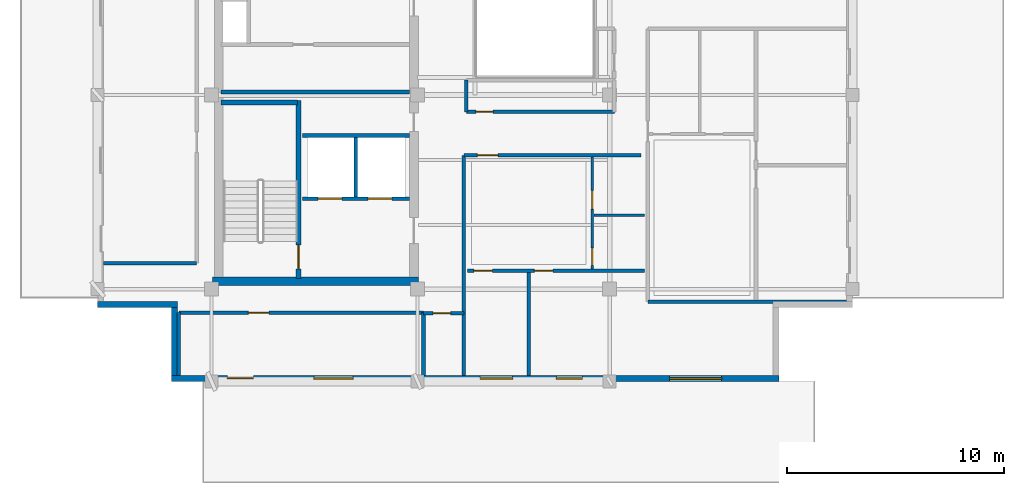
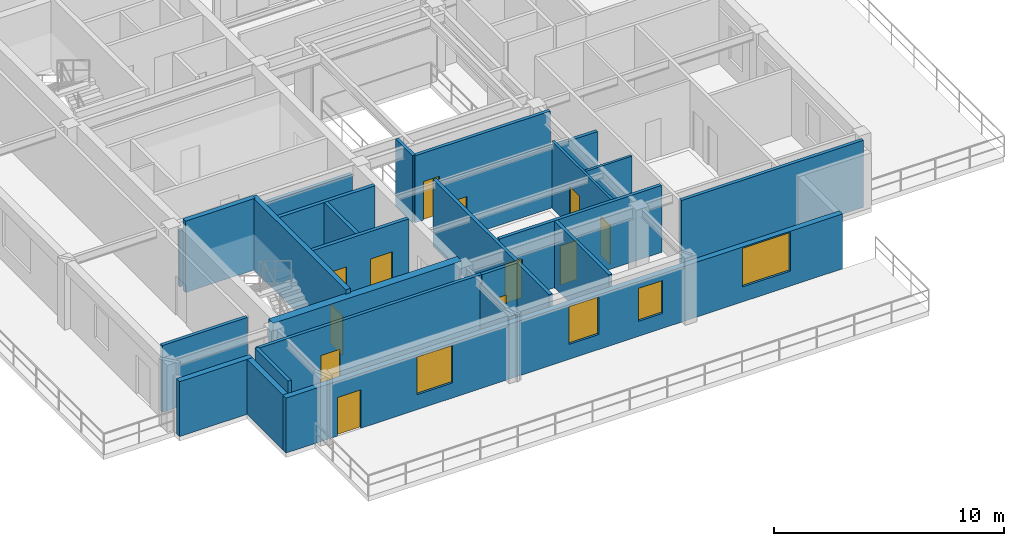
# One storey, part 2 of 9: 24 walls, 12 doors, 4 windows, 16 openings.
"""IFC4 building model written with IfcOpenShell, lengths in metres."""

import ifcopenshell
import ifcopenshell.guid

model = None  # the IFC model being written
_history = None  # IfcOwnerHistory: only IFC2X3 demands one
_inside = {}  # id of a spatial element -> (the spatial element, [elements in it])
_under = {}  # id of a project, library or spatial element -> (it, [spatial elements below it])
_declared = {}  # id of a project -> (the project, [libraries it declares])
_typed = {}  # id of a type object -> (the type object, [elements of that type])
_made_of = {}  # id of a material, layer set ... -> (it, [elements and type objects made of it])


def new_model(schema):
    """Start an empty IFC model of exactly this schema.

    Asked for "IFC4X3", IfcOpenShell would pick the latest addendum, in which some entities
    have other attributes; the version numbers below select the first issue.
    IFC2X3 requires an IfcOwnerHistory on every rooted entity: one is made here for all.
    """
    global model, _history
    if schema == "IFC4X3":
        model = ifcopenshell.file(schema_version=(4, 3, 0, 0))
    else:
        model = ifcopenshell.file(schema=schema)
    _inside.clear()
    _under.clear()
    _declared.clear()
    _typed.clear()
    _made_of.clear()
    _history = None
    if model.schema == "IFC2X3":
        org = make("IfcOrganization", Name="unknown")
        user = make(
            "IfcPersonAndOrganization",
            ThePerson=make("IfcPerson", FamilyName="unknown"),
            TheOrganization=org,
        )
        app = make(
            "IfcApplication",
            ApplicationDeveloper=org,
            Version="unknown",
            ApplicationFullName="unknown",
            ApplicationIdentifier="unknown",
        )
        _history = make(
            "IfcOwnerHistory",
            OwningUser=user,
            OwningApplication=app,
            ChangeAction="ADDED",
            CreationDate=0,
        )
    return model


def make(cls, **values):
    """One entity of the class cls with the attributes given. An attribute that is None is left unset."""
    return model.create_entity(
        cls, **{name: value for name, value in values.items() if value is not None}
    )


def rooted(cls, **values):
    """An entity with a GlobalId (a new one), such as an element, a storey or a relation."""
    return make(cls, GlobalId=ifcopenshell.guid.new(), OwnerHistory=_history, **values)


def si_unit(unit_type, name, prefix=None):
    """IfcSIUnit, for example si_unit("LENGTHUNIT", "METRE", prefix="MILLI")."""
    return make("IfcSIUnit", UnitType=unit_type, Prefix=prefix, Name=name)


def assignment(units):
    """IfcUnitAssignment: the units of a project."""
    return None if units is None else make("IfcUnitAssignment", Units=units)


def point(xyz):
    """IfcCartesianPoint."""
    return None if xyz is None else make("IfcCartesianPoint", Coordinates=xyz)


def direction(xyz):
    """IfcDirection."""
    return None if xyz is None else make("IfcDirection", DirectionRatios=xyz)


def frame(location, z_axis=None, x_axis=None):
    """IfcAxis2Placement3D, a coordinate frame: its origin and axes. An axis left out is left unset."""
    return make(
        "IfcAxis2Placement3D",
        Location=point(location),
        Axis=direction(z_axis),
        RefDirection=direction(x_axis),
    )


def frame_2d(location, x_axis=None):
    """IfcAxis2Placement2D, a coordinate frame in the plane: its origin and x axis."""
    return make(
        "IfcAxis2Placement2D", Location=point(location), RefDirection=direction(x_axis)
    )


def origin():
    """The frame at (0, 0, 0) with its axes left unset."""
    return frame((0.0, 0.0, 0.0))


def place(relative_to, where):
    """IfcLocalPlacement: puts the frame where relative to a parent placement (None: the world)."""
    return make(
        "IfcLocalPlacement", PlacementRelTo=relative_to, RelativePlacement=where
    )


def context(
    kind, dimensions, precision=None, world=None, true_north=None, identifier=None
):
    """IfcGeometricRepresentationContext, for example the 3D "Model" context."""
    return make(
        "IfcGeometricRepresentationContext",
        ContextIdentifier=identifier,
        ContextType=kind,
        CoordinateSpaceDimension=dimensions,
        Precision=precision,
        WorldCoordinateSystem=world,
        TrueNorth=true_north,
    )


def subcontext(parent, identifier, kind, view, scale=None):
    """IfcGeometricRepresentationSubContext, for example "Body" below "Model"."""
    return make(
        "IfcGeometricRepresentationSubContext",
        ContextIdentifier=identifier,
        ContextType=kind,
        ParentContext=parent,
        TargetScale=scale,
        TargetView=view,
    )


def project(units=None, contexts=None):
    """IfcProject with its units and contexts."""
    return rooted(
        "IfcProject",
        Name="project",
        RepresentationContexts=contexts,
        UnitsInContext=assignment(units),
    )


def spatial(cls, under=None, at=None, **own):
    """A site, building, storey or space (cls), placed at a placement, below another one or the project."""
    s = rooted(cls, ObjectPlacement=at, **own)
    if under is not None:
        _under.setdefault(under.id(), (under, []))[1].append(s)
    return s


def profile(cls, at=None, kind="AREA", **sizes):
    """A parametric profile (cls). Its sizes go by their IFC names, for example OverallWidth=200.0."""
    return make(cls, ProfileType=kind, Position=at, **sizes)


def rectangle(**sizes):
    """IfcRectangleProfileDef."""
    return profile("IfcRectangleProfileDef", **sizes)


def extrude(swept, where, along, depth):
    """IfcExtrudedAreaSolid: the profile swept, set in the frame where, extruded along a direction by depth."""
    return make(
        "IfcExtrudedAreaSolid",
        SweptArea=swept,
        Position=where,
        ExtrudedDirection=direction(along),
        Depth=depth,
    )


def shape(context_of_items, identifier, shape_type, items):
    """IfcShapeRepresentation: the items that make up one representation, for example the "Body"."""
    return make(
        "IfcShapeRepresentation",
        ContextOfItems=context_of_items,
        RepresentationIdentifier=identifier,
        RepresentationType=shape_type,
        Items=items,
    )


def material(Name=None, Category=None):
    """IfcMaterial."""
    return make("IfcMaterial", Name=Name, Category=Category)


def layer(
    of_material, thickness, ventilated=None, Name=None, Category=None, Priority=None
):
    """IfcMaterialLayer: one layer of a wall or slab, of a material (None: an air gap)."""
    return make(
        "IfcMaterialLayer",
        Material=of_material,
        LayerThickness=thickness,
        IsVentilated=ventilated,
        Name=Name,
        Category=Category,
        Priority=Priority,
    )


def layer_set(layers, Name=None):
    """IfcMaterialLayerSet."""
    return make("IfcMaterialLayerSet", MaterialLayers=layers, LayerSetName=Name)


def made_of(thing, what):
    """Note that an element or type object is made of a material, layer set ...; save() writes the relation."""
    if what is not None:
        _made_of.setdefault(what.id(), (what, []))[1].append(thing)
    return thing


def type_object(cls, material=None, **own):
    """A type object (cls), such as IfcWallType, which elements share."""
    return made_of(rooted(cls, **own), material)


def element(
    cls,
    number,
    at=None,
    inside=None,
    cuts=None,
    type_object=None,
    material=None,
    context=None,
    identifier="Body",
    shape_type=None,
    held_by="IfcProductDefinitionShape",
    body=None,
    shapes=None,
    **own,
):
    """One element of the class cls, such as IfcWall. Its Tag is "e" and its number.

    at: its placement. inside: the storey or other place that contains it. cuts: it is an
    opening in that element (IfcRelVoidsElement). A single representation is given by context,
    identifier, shape_type and body (its items); several are given by shapes. held_by: the class
    of the entity that holds the representations. save() writes the other relations.
    """
    e = rooted(cls, Tag="e%d" % number, ObjectPlacement=at, **own)
    if body is not None:
        shapes = [shape(context, identifier, shape_type, body)]
    if shapes is not None:
        e.Representation = make(held_by, Representations=shapes)
    if inside is not None:
        _inside.setdefault(inside.id(), (inside, []))[1].append(e)
    if cuts is not None:
        rooted(
            "IfcRelVoidsElement", RelatingBuildingElement=cuts, RelatedOpeningElement=e
        )
    if type_object is not None:
        _typed.setdefault(type_object.id(), (type_object, []))[1].append(e)
    return made_of(e, material)


def fill(opening, filler):
    """IfcRelFillsElement: the door or window that sits in an opening."""
    return rooted(
        "IfcRelFillsElement",
        RelatingOpeningElement=opening,
        RelatedBuildingElement=filler,
    )


def aggregate(whole, parts):
    """IfcRelAggregates: a whole, such as a stair, and the parts it consists of."""
    return rooted("IfcRelAggregates", RelatingObject=whole, RelatedObjects=parts)


def save(model, path):
    """Write the relations noted so far, then the file.

    IfcRelAggregates (storeys below a building ...), IfcRelContainedInSpatialStructure (elements
    in a storey), IfcRelDefinesByType, IfcRelAssociatesMaterial and IfcRelDeclares: one each for
    every whole, place, type object, material and project.
    """
    for whole, parts in _under.values():
        aggregate(whole, parts)
    for where, things in _inside.values():
        rooted(
            "IfcRelContainedInSpatialStructure",
            RelatedElements=things,
            RelatingStructure=where,
        )
    for kind, things in _typed.values():
        rooted("IfcRelDefinesByType", RelatedObjects=things, RelatingType=kind)
    for what, things in _made_of.values():
        rooted("IfcRelAssociatesMaterial", RelatedObjects=things, RelatingMaterial=what)
    for by, libraries in _declared.values():
        rooted("IfcRelDeclares", RelatingContext=by, RelatedDefinitions=libraries)
    model.write(path)


model = new_model("IFC4")

# Units and contexts
model_context = context("Model", 3, precision=1e-05, world=origin(), true_north=direction((0.0, 1.0)))
body_context = subcontext(model_context, "Body", "Model", "MODEL_VIEW")
ifc_project = project(units=[si_unit("LENGTHUNIT", "METRE"), si_unit("AREAUNIT", "SQUARE_METRE"), si_unit("VOLUMEUNIT", "CUBIC_METRE"), si_unit("PLANEANGLEUNIT", "RADIAN"), si_unit("MASSUNIT", "GRAM", prefix="KILO")], contexts=[model_context])

# Site, building, storey
site_placement = place(None, origin())
site = spatial("IfcSite", under=ifc_project, at=site_placement, CompositionType="ELEMENT")
building_placement = place(site_placement, origin())
building = spatial("IfcBuilding", under=site, at=building_placement, Name="Kundavana Baori Tower", CompositionType="ELEMENT")
storey_placement = place(building_placement, frame((0.0, 0.0, 327.699951171875)))
storey = spatial("IfcBuildingStorey", under=building, at=storey_placement, Name="L81", CompositionType="ELEMENT", Elevation=327.699951171875)

# Wall
ifc_material_1 = material(Name="Concrete C50/60", Category="concrete")
ifc_layer_1 = layer(ifc_material_1, 0.39990234375, Name="WL-CORE-400")
ifc_layer_set_1 = layer_set([ifc_layer_1], Name="Concrete C50/60")
wall_type_1 = type_object("IfcWallType", Name="WL-CORE-400", PredefinedType="SHEAR", material=ifc_layer_set_1)
wall_1_placement = place(storey_placement, frame((15.5, 15.610107421875, 0.0), z_axis=(0.0, 0.0, 1.0), x_axis=(1.0, 0.0, 0.0)))
element("IfcWall", 1, at=wall_1_placement, inside=storey, type_object=wall_type_1, Name="L81 Offset Core South Shear Wall", PredefinedType="SHEAR", context=body_context, shape_type="SweptSolid", body=[
    extrude(rectangle(XDim=9.47998046875, YDim=0.39990234375, at=frame_2d((4.739990234375, 0.0))), origin(), (0.0, 0.0, 1.0), 3.56005859375),
])

# Wall, opening, door
wall_2_placement = place(storey_placement, frame((19.4599609375, 15.739990234375, 0.0), z_axis=(0.0, 0.0, 1.0), x_axis=(0.0, 1.0, 0.0)))
wall_2 = element("IfcWall", 2, at=wall_2_placement, inside=storey, type_object=wall_type_1, Name="WL-L81-ST1-E", PredefinedType="SHEAR", context=body_context, shape_type="SweptSolid", body=[
    extrude(rectangle(XDim=8.199951171875, YDim=0.239990234375, at=frame_2d((4.10009765625, 0.0))), origin(), (0.0, 0.0, 1.0), 3.800048828125),
])
opening_1_placement = place(wall_2_placement, frame((0.449951171875, 0.0, 0.0)))
opening_1 = element("IfcOpeningElement", 3, at=opening_1_placement, cuts=wall_2, Name="Opening FD-110", PredefinedType="OPENING", context=body_context, shape_type="SweptSolid", body=[
    extrude(rectangle(XDim=1.10009765625, YDim=2.10009765625, at=frame_2d((0.550048828125, 1.050048828125))), frame((0.0, 0.1298828125, 0.0), z_axis=(0.0, -1.0, 0.0), x_axis=(1.0, 0.0, 0.0)), (0.0, 0.0, 1.0), 0.260009765625),
])
ifc_material_2 = material(Name="Galvanised Steel Fire-Rated Door Leaf", Category="steel")
door_type_1 = type_object("IfcDoorType", Name="DR-FD120-1100", OperationType="NOTDEFINED", PredefinedType="DOOR", material=ifc_material_2)
door_1_placement = place(opening_1_placement, origin())
door_1 = element("IfcDoor", 4, at=door_1_placement, inside=storey, type_object=door_type_1, Name="DR-L81-ST1", OperationType="SINGLE_SWING_LEFT", OverallHeight=2.10009765625, OverallWidth=1.10009765625, PredefinedType="DOOR", context=body_context, shape_type="SweptSolid", body=[
    extrude(rectangle(XDim=1.10009765625, YDim=2.10009765625, at=frame_2d((0.550048828125, 1.050048828125))), frame((0.0, 0.02490234375, 0.0), z_axis=(0.0, -1.0, 0.0), x_axis=(1.0, 0.0, 0.0)), (0.0, 0.0, 1.0), 0.050048828125),
])
fill(opening_1, door_1)

# Wall
wall_3_placement = place(storey_placement, frame((15.89990234375, 23.860107421875, 0.0), z_axis=(0.0, 0.0, 1.0), x_axis=(1.0, 0.0, 0.0)))
element("IfcWall", 5, at=wall_3_placement, inside=storey, type_object=wall_type_1, Name="WL-L81-ST1-N", PredefinedType="SHEAR", context=body_context, shape_type="SweptSolid", body=[
    extrude(rectangle(XDim=3.52001953125, YDim=0.239990234375, at=frame_2d((1.760009765625, 0.0))), origin(), (0.0, 0.0, 1.0), 3.800048828125),
])

# Wall, openings, door, windows
ifc_material_3 = material(Name="Red-Buff Dholpur Sandstone Cladding on Concrete C40/50", Category="masonry")
ifc_layer_2 = layer(ifc_material_3, 0.280029296875, Name="WL-EXT-SAND-280")
ifc_layer_set_2 = layer_set([ifc_layer_2], Name="Red-Buff Dholpur Sandstone Cladding on Concrete C40/50")
wall_type_2 = type_object("IfcWallType", Name="WL-EXT-SAND-280", PredefinedType="STANDARD", material=ifc_layer_set_2)
wall_4_placement = place(storey_placement, frame((13.60009765625, 11.139892578125, 0.0), z_axis=(0.0, 0.0, 1.0), x_axis=(1.0, 0.0, 0.0)))
wall_4 = element("IfcWall", 6, at=wall_4_placement, inside=storey, type_object=wall_type_2, Name="L81 Exterior Insulated Facade Wall 01", PredefinedType="STANDARD", context=body_context, shape_type="SweptSolid", body=[
    extrude(rectangle(XDim=28.0, YDim=0.280029296875, at=frame_2d((14.0, 0.0))), origin(), (0.0, 0.0, 1.0), 2.920166015625),
])
opening_2_placement = place(wall_4_placement, frame((2.580078125, 0.0, 0.0)))
opening_2 = element("IfcOpeningElement", 7, at=opening_2_placement, cuts=wall_4, Name="Opening TD-1", PredefinedType="OPENING", context=body_context, shape_type="SweptSolid", body=[
    extrude(rectangle(XDim=1.199951171875, YDim=2.050048828125, at=frame_2d((0.60009765625, 1.02490234375))), frame((0.0, 0.14990234375, 0.0), z_axis=(0.0, -1.0, 0.0), x_axis=(1.0, 0.0, 0.0)), (0.0, 0.0, 1.0), 0.300048828125),
])
opening_3_placement = place(wall_4_placement, frame((6.574951171875, 0.0, 0.800048828125)))
opening_3 = element("IfcOpeningElement", 8, at=opening_3_placement, cuts=wall_4, Name="Opening W-01", PredefinedType="OPENING", context=body_context, shape_type="SweptSolid", body=[
    extrude(rectangle(XDim=1.800048828125, YDim=2.0, at=frame_2d((0.89990234375, 1.0))), frame((0.0, 0.14990234375, 0.0), z_axis=(0.0, -1.0, 0.0), x_axis=(1.0, 0.0, 0.0)), (0.0, 0.0, 1.0), 0.300048828125),
])
opening_4_placement = place(wall_4_placement, frame((14.22998046875, 0.0, 0.800048828125)))
opening_4 = element("IfcOpeningElement", 9, at=opening_4_placement, cuts=wall_4, Name="Opening W-02", PredefinedType="OPENING", context=body_context, shape_type="SweptSolid", body=[
    extrude(rectangle(XDim=1.5, YDim=2.0, at=frame_2d((0.75, 1.0))), frame((0.0, 0.14990234375, 0.0), z_axis=(0.0, -1.0, 0.0), x_axis=(1.0, 0.0, 0.0)), (0.0, 0.0, 1.0), 0.300048828125),
])
opening_5_placement = place(wall_4_placement, frame((17.739990234375, 0.0, 0.800048828125)))
opening_5 = element("IfcOpeningElement", 10, at=opening_5_placement, cuts=wall_4, Name="Opening W-03", PredefinedType="OPENING", context=body_context, shape_type="SweptSolid", body=[
    extrude(rectangle(XDim=1.199951171875, YDim=1.75, at=frame_2d((0.60009765625, 0.875))), frame((0.0, 0.14990234375, 0.0), z_axis=(0.0, -1.0, 0.0), x_axis=(1.0, 0.0, 0.0)), (0.0, 0.0, 1.0), 0.300048828125),
])
opening_6_placement = place(wall_4_placement, frame((22.965087890625, 0.0, 0.800048828125)))
opening_6 = element("IfcOpeningElement", 11, at=opening_6_placement, cuts=wall_4, Name="Opening W-04", PredefinedType="OPENING", context=body_context, shape_type="SweptSolid", body=[
    extrude(rectangle(XDim=2.39990234375, YDim=2.050048828125, at=frame_2d((1.199951171875, 1.02490234375))), frame((0.0, 0.14990234375, 0.0), z_axis=(0.0, -1.0, 0.0), x_axis=(1.0, 0.0, 0.0)), (0.0, 0.0, 1.0), 0.300048828125),
])
ifc_material_4 = material(Name="Architectural Patinated Bronze Metalwork")
door_type_2 = type_object("IfcDoorType", Name="DR-EXT-TER-1200", OperationType="NOTDEFINED", PredefinedType="DOOR", material=ifc_material_4)
door_2_placement = place(opening_2_placement, frame((1.199951171875, 0.0, 0.0), z_axis=(0.0, 0.0, 1.0), x_axis=(-1.0, 0.0, 0.0)))
door_2 = element("IfcDoor", 12, at=door_2_placement, inside=storey, type_object=door_type_2, Name="L81 Terrace Access Door S", OperationType="SINGLE_SWING_LEFT", OverallHeight=2.050048828125, OverallWidth=1.199951171875, PredefinedType="DOOR", context=body_context, shape_type="SweptSolid", body=[
    extrude(rectangle(XDim=1.199951171875, YDim=2.050048828125, at=frame_2d((0.60009765625, 1.02490234375))), frame((0.0, 0.02490234375, 0.0), z_axis=(0.0, -1.0, 0.0), x_axis=(1.0, 0.0, 0.0)), (0.0, 0.0, 1.0), 0.050048828125),
])
fill(opening_2, door_2)
ifc_material_5 = material(Name="Double-Glazed Solar-Control Low-E Insulated Glass", Category="glass")
window_type_1 = type_object("IfcWindowType", Name="WIN-LOG-1200x1750", PartitioningType="SINGLE_PANEL", PredefinedType="WINDOW", material=ifc_material_5)
window_1_placement = place(opening_5_placement, origin())
window_1 = element("IfcWindow", 13, at=window_1_placement, inside=storey, type_object=window_type_1, Name="L81 Recessed Loggia Window S-3", OverallHeight=1.75, OverallWidth=1.199951171875, PartitioningType="SINGLE_PANEL", PredefinedType="WINDOW", context=body_context, shape_type="SweptSolid", body=[
    extrude(rectangle(XDim=1.199951171875, YDim=1.75, at=frame_2d((0.60009765625, 0.875))), frame((0.0, 0.030029296875, 0.0), z_axis=(0.0, -1.0, 0.0), x_axis=(1.0, 0.0, 0.0)), (0.0, 0.0, 1.0), 0.06005859375),
])
fill(opening_5, window_1)
ifc_material_6 = material(Name="Double-Glazed Solar-Control Low-E Insulated Glass", Category="glass")
window_type_2 = type_object("IfcWindowType", Name="WIN-LOG-1500x2000", PartitioningType="SINGLE_PANEL", PredefinedType="WINDOW", material=ifc_material_6)
window_2_placement = place(opening_4_placement, origin())
window_2 = element("IfcWindow", 14, at=window_2_placement, inside=storey, type_object=window_type_2, Name="L81 Recessed Loggia Window S-2", OverallHeight=2.0, OverallWidth=1.5, PartitioningType="SINGLE_PANEL", PredefinedType="WINDOW", context=body_context, shape_type="SweptSolid", body=[
    extrude(rectangle(XDim=1.5, YDim=2.0, at=frame_2d((0.75, 1.0))), frame((0.0, 0.030029296875, 0.0), z_axis=(0.0, -1.0, 0.0), x_axis=(1.0, 0.0, 0.0)), (0.0, 0.0, 1.0), 0.06005859375),
])
fill(opening_4, window_2)
ifc_material_7 = material(Name="Double-Glazed Solar-Control Low-E Insulated Glass", Category="glass")
window_type_3 = type_object("IfcWindowType", Name="WIN-LOG-1800x2000", PartitioningType="SINGLE_PANEL", PredefinedType="WINDOW", material=ifc_material_7)
window_3_placement = place(opening_3_placement, origin())
window_3 = element("IfcWindow", 15, at=window_3_placement, inside=storey, type_object=window_type_3, Name="L81 Recessed Loggia Window S-1", OverallHeight=2.0, OverallWidth=1.800048828125, PartitioningType="SINGLE_PANEL", PredefinedType="WINDOW", context=body_context, shape_type="SweptSolid", body=[
    extrude(rectangle(XDim=1.800048828125, YDim=2.0, at=frame_2d((0.89990234375, 1.0))), frame((0.0, 0.030029296875, 0.0), z_axis=(0.0, -1.0, 0.0), x_axis=(1.0, 0.0, 0.0)), (0.0, 0.0, 1.0), 0.06005859375),
])
fill(opening_3, window_3)
ifc_material_8 = material(Name="Double-Glazed Solar-Control Low-E Insulated Glass", Category="glass")
window_type_4 = type_object("IfcWindowType", Name="WIN-LOG-2400x2050", PartitioningType="SINGLE_PANEL", PredefinedType="WINDOW", material=ifc_material_8)
window_4_placement = place(opening_6_placement, origin())
window_4 = element("IfcWindow", 16, at=window_4_placement, inside=storey, type_object=window_type_4, Name="L81 Recessed Loggia Window S-4", OverallHeight=2.050048828125, OverallWidth=2.39990234375, PartitioningType="SINGLE_PANEL", PredefinedType="WINDOW", context=body_context, shape_type="SweptSolid", body=[
    extrude(rectangle(XDim=2.39990234375, YDim=2.050048828125, at=frame_2d((1.199951171875, 1.02490234375))), frame((0.0, 0.030029296875, 0.0), z_axis=(0.0, -1.0, 0.0), x_axis=(1.0, 0.0, 0.0)), (0.0, 0.0, 1.0), 0.06005859375),
])
fill(opening_6, window_4)

# Walls
wall_5_placement = place(storey_placement, frame((10.199951171875, 14.5400390625, 0.0), z_axis=(0.0, 0.0, 1.0), x_axis=(1.0, 0.0, 0.0)))
element("IfcWall", 17, at=wall_5_placement, inside=storey, type_object=wall_type_2, Name="L81 Exterior Insulated Facade Wall 11", PredefinedType="STANDARD", context=body_context, shape_type="SweptSolid", body=[
    extrude(rectangle(XDim=3.679931640625, YDim=0.280029296875, at=frame_2d((1.83984375, 0.0))), origin(), (0.0, 0.0, 1.0), 2.920166015625),
])
wall_6_placement = place(storey_placement, frame((13.739990234375, 14.39990234375, 0.0), z_axis=(0.0, 0.0, 1.0), x_axis=(0.0, -1.0, 0.0)))
element("IfcWall", 18, at=wall_6_placement, inside=storey, type_object=wall_type_2, Name="L81 Exterior Insulated Facade Wall 12", PredefinedType="STANDARD", context=body_context, shape_type="SweptSolid", body=[
    extrude(rectangle(XDim=3.119873046875, YDim=0.280029296875, at=frame_2d((1.56005859375, 0.0))), origin(), (0.0, 0.0, 1.0), 2.920166015625),
])

# Wall, opening, door
ifc_material_9 = material(Name="Fire-Rated Gypsum Drywall on Galvanised Steel Studs", Category="steel")
ifc_layer_3 = layer(ifc_material_9, 0.1650390625, Name="WL-PART-165")
ifc_layer_set_3 = layer_set([ifc_layer_3], Name="Fire-Rated Gypsum Drywall on Galvanised Steel Studs")
wall_type_3 = type_object("IfcWallType", Name="WL-PART-165", PredefinedType="PARTITIONING", material=ifc_layer_set_3)
wall_7_placement = place(storey_placement, frame((27.080078125, 21.419921875, 0.0), z_axis=(0.0, 0.0, 1.0), x_axis=(1.0, 0.0, 0.0)))
wall_7 = element("IfcWall", 19, at=wall_7_placement, inside=storey, type_object=wall_type_3, Name="WL-L81-RS", PredefinedType="PARTITIONING", context=body_context, shape_type="SweptSolid", body=[
    extrude(rectangle(XDim=8.169921875, YDim=0.1650390625, at=frame_2d((4.0849609375, 0.0))), origin(), (0.0, 0.0, 1.0), 3.260009765625),
])
opening_7_placement = place(wall_7_placement, frame((0.6298828125, 0.0, 0.0)))
opening_7 = element("IfcOpeningElement", 20, at=opening_7_placement, cuts=wall_7, Name="Opening FD-095", PredefinedType="OPENING", context=body_context, shape_type="SweptSolid", body=[
    extrude(rectangle(XDim=0.949951171875, YDim=2.10009765625, at=frame_2d((0.47509765625, 1.050048828125))), frame((0.0, 0.092529296875, 0.0), z_axis=(0.0, -1.0, 0.0), x_axis=(1.0, 0.0, 0.0)), (0.0, 0.0, 1.0), 0.18505859375),
])
ifc_material_10 = material(Name="Engineered Teak Fire-Rated Timber Door Leaf", Category="wood")
door_type_3 = type_object("IfcDoorType", Name="DR-FD60-950", OperationType="NOTDEFINED", PredefinedType="DOOR", material=ifc_material_10)
door_3_placement = place(opening_7_placement, frame((0.949951171875, 0.0, 0.0), z_axis=(0.0, 0.0, 1.0), x_axis=(-1.0, 0.0, 0.0)))
door_3 = element("IfcDoor", 21, at=door_3_placement, inside=storey, type_object=door_type_3, Name="DR-L81-S1-ENT", OperationType="SINGLE_SWING_RIGHT", OverallHeight=2.10009765625, OverallWidth=0.949951171875, PredefinedType="DOOR", context=body_context, shape_type="SweptSolid", body=[
    extrude(rectangle(XDim=0.949951171875, YDim=2.10009765625, at=frame_2d((0.47509765625, 1.050048828125))), frame((0.0, 0.02490234375, 0.0), z_axis=(0.0, -1.0, 0.0), x_axis=(1.0, 0.0, 0.0)), (0.0, 0.0, 1.0), 0.050048828125),
])
fill(opening_7, door_3)

# Wall
wall_8_placement = place(storey_placement, frame((27.080078125, 11.280029296875, 0.0), z_axis=(0.0, 0.0, 1.0), x_axis=(0.0, 1.0, 0.0)))
element("IfcWall", 22, at=wall_8_placement, inside=storey, type_object=wall_type_3, Name="WL-L81-RSW", PredefinedType="PARTITIONING", context=body_context, shape_type="SweptSolid", body=[
    extrude(rectangle(XDim=10.139892578125, YDim=0.1650390625, at=frame_2d((5.06982421875, 0.0))), origin(), (0.0, 0.0, 1.0), 3.56005859375),
])

# Wall, opening, door
wall_9_placement = place(storey_placement, frame((13.949951171875, 14.169921875, 0.0), z_axis=(0.0, 0.0, 1.0), x_axis=(1.0, 0.0, 0.0)))
wall_9 = element("IfcWall", 23, at=wall_9_placement, inside=storey, type_object=wall_type_3, Name="WL-L81-RSC", PredefinedType="PARTITIONING", context=body_context, shape_type="SweptSolid", body=[
    extrude(rectangle(XDim=11.27001953125, YDim=0.1650390625, at=frame_2d((5.635009765625, 0.0))), origin(), (0.0, 0.0, 1.0), 3.56005859375),
])
opening_8_placement = place(wall_9_placement, frame((3.199951171875, 0.0, 0.0)))
opening_8 = element("IfcOpeningElement", 24, at=opening_8_placement, cuts=wall_9, Name="Opening ID-095", PredefinedType="OPENING", context=body_context, shape_type="SweptSolid", body=[
    extrude(rectangle(XDim=0.949951171875, YDim=2.080078125, at=frame_2d((0.47509765625, 1.0400390625))), frame((0.0, 0.092529296875, 0.0), z_axis=(0.0, -1.0, 0.0), x_axis=(1.0, 0.0, 0.0)), (0.0, 0.0, 1.0), 0.18505859375),
])
ifc_material_11 = material(Name="Engineered Teak Solid-Core Timber Veneer", Category="wood")
door_type_4 = type_object("IfcDoorType", Name="DR-INT-950", OperationType="NOTDEFINED", PredefinedType="DOOR", material=ifc_material_11)
door_4_placement = place(opening_8_placement, frame((0.949951171875, 0.0, 0.0), z_axis=(0.0, 0.0, 1.0), x_axis=(-1.0, 0.0, 0.0)))
door_4 = element("IfcDoor", 25, at=door_4_placement, inside=storey, type_object=door_type_4, Name="DR-L81-RMSW", OperationType="SINGLE_SWING_LEFT", OverallHeight=2.080078125, OverallWidth=0.949951171875, PredefinedType="DOOR", context=body_context, shape_type="SweptSolid", body=[
    extrude(rectangle(XDim=0.949951171875, YDim=2.080078125, at=frame_2d((0.47509765625, 1.0400390625))), frame((0.0, 0.02490234375, 0.0), z_axis=(0.0, -1.0, 0.0), x_axis=(1.0, 0.0, 0.0)), (0.0, 0.0, 1.0), 0.050048828125),
])
fill(opening_8, door_4)

# Walls
wall_10_placement = place(storey_placement, frame((13.949951171875, 11.280029296875, 0.0), z_axis=(0.0, 0.0, 1.0), x_axis=(0.0, 1.0, 0.0)))
element("IfcWall", 26, at=wall_10_placement, inside=storey, type_object=wall_type_3, Name="WL-L81-RSCW", PredefinedType="PARTITIONING", context=body_context, shape_type="SweptSolid", body=[
    extrude(rectangle(XDim=2.889892578125, YDim=0.1650390625, at=frame_2d((1.44482421875, 0.0))), origin(), (0.0, 0.0, 1.0), 3.56005859375),
])
wall_11_placement = place(storey_placement, frame((25.219970703125, 11.280029296875, 0.0), z_axis=(0.0, 0.0, 1.0), x_axis=(0.0, 1.0, 0.0)))
element("IfcWall", 27, at=wall_11_placement, inside=storey, type_object=wall_type_3, Name="WL-L81-RSCE", PredefinedType="PARTITIONING", context=body_context, shape_type="SweptSolid", body=[
    extrude(rectangle(XDim=2.889892578125, YDim=0.1650390625, at=frame_2d((1.44482421875, 0.0))), origin(), (0.0, 0.0, 1.0), 3.110107421875),
])
wall_12_placement = place(storey_placement, frame((10.47998046875, 16.449951171875, 0.0), z_axis=(0.0, 0.0, 1.0), x_axis=(1.0, 0.0, 0.0)))
element("IfcWall", 28, at=wall_12_placement, inside=storey, type_object=wall_type_3, Name="WL-L81-RWS", PredefinedType="PARTITIONING", context=body_context, shape_type="SweptSolid", body=[
    extrude(rectangle(XDim=4.2900390625, YDim=0.1650390625, at=frame_2d((2.14501953125, 0.0))), origin(), (0.0, 0.0, 1.0), 3.56005859375),
])

# Wall, openings, doors
wall_13_placement = place(storey_placement, frame((27.239990234375, 16.10888671875, 0.0), z_axis=(0.0, 0.0, 1.0), x_axis=(1.0, 0.0, 0.0)))
wall_13 = element("IfcWall", 29, at=wall_13_placement, inside=storey, type_object=wall_type_3, Name="WL-L81-S1-HZ", PredefinedType="PARTITIONING", context=body_context, shape_type="SweptSolid", body=[
    extrude(rectangle(XDim=8.159912109375, YDim=0.1650390625, at=frame_2d((4.080078125, 0.0))), origin(), (0.0, 0.0, 1.0), 3.56005859375),
])
opening_9_placement = place(wall_13_placement, frame((0.300048828125, 0.0, 0.0)))
opening_9 = element("IfcOpeningElement", 30, at=opening_9_placement, cuts=wall_13, Name="Opening ID-085", PredefinedType="OPENING", context=body_context, shape_type="SweptSolid", body=[
    extrude(rectangle(XDim=0.85009765625, YDim=2.080078125, at=frame_2d((0.425048828125, 1.0400390625))), frame((0.0, 0.092529296875, 0.0), z_axis=(0.0, -1.0, 0.0), x_axis=(1.0, 0.0, 0.0)), (0.0, 0.0, 1.0), 0.18505859375),
])
opening_10_placement = place(wall_13_placement, frame((3.090087890625, 0.0, 0.0)))
opening_10 = element("IfcOpeningElement", 31, at=opening_10_placement, cuts=wall_13, Name="Opening ID-085", PredefinedType="OPENING", context=body_context, shape_type="SweptSolid", body=[
    extrude(rectangle(XDim=0.85009765625, YDim=2.080078125, at=frame_2d((0.425048828125, 1.0400390625))), frame((0.0, 0.092529296875, 0.0), z_axis=(0.0, -1.0, 0.0), x_axis=(1.0, 0.0, 0.0)), (0.0, 0.0, 1.0), 0.18505859375),
])
ifc_material_12 = material(Name="Engineered Teak Solid-Core Timber Veneer", Category="wood")
door_type_5 = type_object("IfcDoorType", Name="DR-INT-850", OperationType="NOTDEFINED", PredefinedType="DOOR", material=ifc_material_12)
door_5_placement = place(opening_9_placement, frame((0.85009765625, 0.0, 0.0), z_axis=(0.0, 0.0, 1.0), x_axis=(-1.0, 0.0, 0.0)))
door_5 = element("IfcDoor", 32, at=door_5_placement, inside=storey, type_object=door_type_5, Name="DR-L81-S1-B1", OperationType="SINGLE_SWING_LEFT", OverallHeight=2.080078125, OverallWidth=0.85009765625, PredefinedType="DOOR", context=body_context, shape_type="SweptSolid", body=[
    extrude(rectangle(XDim=0.85009765625, YDim=2.080078125, at=frame_2d((0.425048828125, 1.0400390625))), frame((0.0, 0.02490234375, 0.0), z_axis=(0.0, -1.0, 0.0), x_axis=(1.0, 0.0, 0.0)), (0.0, 0.0, 1.0), 0.050048828125),
])
fill(opening_9, door_5)
door_6_placement = place(opening_10_placement, frame((0.85009765625, 0.0, 0.0), z_axis=(0.0, 0.0, 1.0), x_axis=(-1.0, 0.0, 0.0)))
door_6 = element("IfcDoor", 33, at=door_6_placement, inside=storey, type_object=door_type_5, Name="DR-L81-S1-B2", OperationType="SINGLE_SWING_RIGHT", OverallHeight=2.080078125, OverallWidth=0.85009765625, PredefinedType="DOOR", context=body_context, shape_type="SweptSolid", body=[
    extrude(rectangle(XDim=0.85009765625, YDim=2.080078125, at=frame_2d((0.425048828125, 1.0400390625))), frame((0.0, 0.02490234375, 0.0), z_axis=(0.0, -1.0, 0.0), x_axis=(1.0, 0.0, 0.0)), (0.0, 0.0, 1.0), 0.050048828125),
])
fill(opening_10, door_6)

# Walls
wall_14_placement = place(storey_placement, frame((30.080078125, 11.280029296875, 0.0), z_axis=(0.0, 0.0, 1.0), x_axis=(0.0, 1.0, 0.0)))
element("IfcWall", 34, at=wall_14_placement, inside=storey, type_object=wall_type_3, Name="WL-L81-S1-BDV", PredefinedType="PARTITIONING", context=body_context, shape_type="SweptSolid", body=[
    extrude(rectangle(XDim=4.7490234375, YDim=0.1650390625, at=frame_2d((2.37451171875, 0.0))), origin(), (0.0, 0.0, 1.0), 3.56005859375),
])
wall_15_placement = place(storey_placement, frame((35.56005859375, 14.679931640625, 0.0), z_axis=(0.0, 0.0, 1.0), x_axis=(1.0, 0.0, 0.0)))
element("IfcWall", 35, at=wall_15_placement, inside=storey, type_object=wall_type_3, Name="WL-L81-CSES", PredefinedType="PARTITIONING", context=body_context, shape_type="SweptSolid", body=[
    extrude(rectangle(XDim=9.159912109375, YDim=0.1650390625, at=frame_2d((4.580078125, 0.0))), origin(), (0.0, 0.0, 1.0), 3.56005859375),
])

# Wall, opening, door
wall_16_placement = place(storey_placement, frame((27.199951171875, 23.419921875, 0.0), z_axis=(0.0, 0.0, 1.0), x_axis=(1.0, 0.0, 0.0)))
wall_16 = element("IfcWall", 36, at=wall_16_placement, inside=storey, type_object=wall_type_3, Name="WL-L81-ALS", PredefinedType="PARTITIONING", context=body_context, shape_type="SweptSolid", body=[
    extrude(rectangle(XDim=6.820068359375, YDim=0.1650390625, at=frame_2d((3.41015625, 0.0))), origin(), (0.0, 0.0, 1.0), 3.56005859375),
])
opening_11_placement = place(wall_16_placement, frame((0.429931640625, 0.0, 0.0)))
opening_11 = element("IfcOpeningElement", 37, at=opening_11_placement, cuts=wall_16, Name="Opening WD-080", PredefinedType="OPENING", context=body_context, shape_type="SweptSolid", body=[
    extrude(rectangle(XDim=0.800048828125, YDim=2.050048828125, at=frame_2d((0.39990234375, 1.02490234375))), frame((0.0, 0.092529296875, 0.0), z_axis=(0.0, -1.0, 0.0), x_axis=(1.0, 0.0, 0.0)), (0.0, 0.0, 1.0), 0.18505859375),
])
ifc_material_13 = material(Name="Engineered Teak Solid-Core Timber Veneer", Category="wood")
door_type_6 = type_object("IfcDoorType", Name="DR-WET-800", OperationType="NOTDEFINED", PredefinedType="DOOR", material=ifc_material_13)
door_7_placement = place(opening_11_placement, origin())
door_7 = element("IfcDoor", 38, at=door_7_placement, inside=storey, type_object=door_type_6, Name="DR-L81-RALC1", OperationType="SINGLE_SWING_LEFT", OverallHeight=2.050048828125, OverallWidth=0.800048828125, PredefinedType="DOOR", context=body_context, shape_type="SweptSolid", body=[
    extrude(rectangle(XDim=0.800048828125, YDim=2.050048828125, at=frame_2d((0.39990234375, 1.02490234375))), frame((0.0, 0.02490234375, 0.0), z_axis=(0.0, -1.0, 0.0), x_axis=(1.0, 0.0, 0.0)), (0.0, 0.0, 1.0), 0.050048828125),
])
fill(opening_11, door_7)

# Wall
wall_17_placement = place(storey_placement, frame((27.199951171875, 23.419921875, 0.0), z_axis=(0.0, 0.0, 1.0), x_axis=(0.0, 1.0, 0.0)))
element("IfcWall", 39, at=wall_17_placement, inside=storey, type_object=wall_type_3, Name="WL-L81-ALW", PredefinedType="PARTITIONING", context=body_context, shape_type="SweptSolid", body=[
    extrude(rectangle(XDim=1.4599609375, YDim=0.1650390625, at=frame_2d((0.72998046875, 0.0))), origin(), (0.0, 0.0, 1.0), 3.56005859375),
])

# Wall, opening, door
wall_18_placement = place(storey_placement, frame((25.219970703125, 14.14990234375, 0.0), z_axis=(0.0, 0.0, 1.0), x_axis=(1.0, 0.0, 0.0)))
wall_18 = element("IfcWall", 40, at=wall_18_placement, inside=storey, type_object=wall_type_3, Name="WL-L81-CSCN", PredefinedType="PARTITIONING", context=body_context, shape_type="SweptSolid", body=[
    extrude(rectangle(XDim=1.860107421875, YDim=0.1650390625, at=frame_2d((0.93017578125, 0.0))), origin(), (0.0, 0.0, 1.0), 3.56005859375),
])
opening_12_placement = place(wall_18_placement, frame((0.449951171875, 0.0, 0.0)))
opening_12 = element("IfcOpeningElement", 41, at=opening_12_placement, cuts=wall_18, Name="Opening WD-080", PredefinedType="OPENING", context=body_context, shape_type="SweptSolid", body=[
    extrude(rectangle(XDim=0.800048828125, YDim=2.050048828125, at=frame_2d((0.39990234375, 1.02490234375))), frame((0.0, 0.092529296875, 0.0), z_axis=(0.0, -1.0, 0.0), x_axis=(1.0, 0.0, 0.0)), (0.0, 0.0, 1.0), 0.18505859375),
])
door_8_placement = place(opening_12_placement, origin())
door_8 = element("IfcDoor", 42, at=door_8_placement, inside=storey, type_object=door_type_6, Name="DR-L81-CSCS", OperationType="SINGLE_SWING_LEFT", OverallHeight=2.050048828125, OverallWidth=0.800048828125, PredefinedType="DOOR", context=body_context, shape_type="SweptSolid", body=[
    extrude(rectangle(XDim=0.800048828125, YDim=2.050048828125, at=frame_2d((0.39990234375, 1.02490234375))), frame((0.0, 0.02490234375, 0.0), z_axis=(0.0, -1.0, 0.0), x_axis=(1.0, 0.0, 0.0)), (0.0, 0.0, 1.0), 0.050048828125),
])
fill(opening_12, door_8)

# Wall, openings, doors
ifc_material_14 = material(Name="Autoclaved Aerated Concrete Blockwork Masonry", Category="masonry")
ifc_layer_4 = layer(ifc_material_14, 0.179931640625, Name="WL-SHAFT-180")
ifc_layer_set_4 = layer_set([ifc_layer_4], Name="Autoclaved Aerated Concrete Blockwork Masonry")
wall_type_4 = type_object("IfcWallType", Name="WL-SHAFT-180", PredefinedType="SOLIDWALL", material=ifc_layer_set_4)
wall_19_placement = place(storey_placement, frame((19.639892578125, 19.419921875, 0.0), z_axis=(0.0, 0.0, 1.0), x_axis=(1.0, 0.0, 0.0)))
wall_19 = element("IfcWall", 43, at=wall_19_placement, inside=storey, type_object=wall_type_4, Name="WL-L81-FFL-S", PredefinedType="SOLIDWALL", context=body_context, shape_type="SweptSolid", body=[
    extrude(rectangle(XDim=4.940185546875, YDim=0.179931640625, at=frame_2d((2.47021484375, 0.0))), origin(), (0.0, 0.0, 1.0), 3.56005859375),
])
opening_13_placement = place(wall_19_placement, frame((0.719970703125, 0.0, 0.0)))
opening_13 = element("IfcOpeningElement", 44, at=opening_13_placement, cuts=wall_19, Name="Opening LD-110", PredefinedType="OPENING", context=body_context, shape_type="SweptSolid", body=[
    extrude(rectangle(XDim=1.10009765625, YDim=2.10009765625, at=frame_2d((0.550048828125, 1.050048828125))), frame((0.0, 0.10009765625, 0.0), z_axis=(0.0, -1.0, 0.0), x_axis=(1.0, 0.0, 0.0)), (0.0, 0.0, 1.0), 0.199951171875),
])
opening_14_placement = place(wall_19_placement, frame((3.02001953125, 0.0, 0.0)))
opening_14 = element("IfcOpeningElement", 45, at=opening_14_placement, cuts=wall_19, Name="Opening LD-110", PredefinedType="OPENING", context=body_context, shape_type="SweptSolid", body=[
    extrude(rectangle(XDim=1.10009765625, YDim=2.10009765625, at=frame_2d((0.550048828125, 1.050048828125))), frame((0.0, 0.10009765625, 0.0), z_axis=(0.0, -1.0, 0.0), x_axis=(1.0, 0.0, 0.0)), (0.0, 0.0, 1.0), 0.199951171875),
])
ifc_material_15 = material(Name="Galvanised Steel Fire-Rated Door Leaf", Category="steel")
door_type_7 = type_object("IfcDoorType", Name="DR-SLIDE-LD1100", OperationType="NOTDEFINED", PredefinedType="DOOR", material=ifc_material_15)
door_9_placement = place(opening_13_placement, origin())
door_9 = element("IfcDoor", 46, at=door_9_placement, inside=storey, type_object=door_type_7, Name="DR-L81-LD-FFL-1", OperationType="DOUBLE_DOOR_SLIDING", OverallHeight=2.10009765625, OverallWidth=1.10009765625, PredefinedType="DOOR", context=body_context, shape_type="SweptSolid", body=[
    extrude(rectangle(XDim=1.10009765625, YDim=2.10009765625, at=frame_2d((0.550048828125, 1.050048828125))), frame((0.0, 0.02490234375, 0.0), z_axis=(0.0, -1.0, 0.0), x_axis=(1.0, 0.0, 0.0)), (0.0, 0.0, 1.0), 0.050048828125),
])
fill(opening_13, door_9)
door_10_placement = place(opening_14_placement, origin())
door_10 = element("IfcDoor", 47, at=door_10_placement, inside=storey, type_object=door_type_7, Name="DR-L81-LD-FFL-2", OperationType="DOUBLE_DOOR_SLIDING", OverallHeight=2.10009765625, OverallWidth=1.10009765625, PredefinedType="DOOR", context=body_context, shape_type="SweptSolid", body=[
    extrude(rectangle(XDim=1.10009765625, YDim=2.10009765625, at=frame_2d((0.550048828125, 1.050048828125))), frame((0.0, 0.02490234375, 0.0), z_axis=(0.0, -1.0, 0.0), x_axis=(1.0, 0.0, 0.0)), (0.0, 0.0, 1.0), 0.050048828125),
])
fill(opening_14, door_10)

# Walls
wall_20_placement = place(storey_placement, frame((22.10009765625, 19.510009765625, 0.0), z_axis=(0.0, 0.0, 1.0), x_axis=(0.0, 1.0, 0.0)))
element("IfcWall", 48, at=wall_20_placement, inside=storey, type_object=wall_type_4, Name="WL-L81-FFL-MID", PredefinedType="SOLIDWALL", context=body_context, shape_type="SweptSolid", body=[
    extrude(rectangle(XDim=2.739990234375, YDim=0.179931640625, at=frame_2d((1.3701171875, 0.0))), origin(), (0.0, 0.0, 1.0), 3.56005859375),
])
wall_21_placement = place(storey_placement, frame((19.639892578125, 22.340087890625, 0.0), z_axis=(0.0, 0.0, 1.0), x_axis=(1.0, 0.0, 0.0)))
element("IfcWall", 49, at=wall_21_placement, inside=storey, type_object=wall_type_4, Name="WL-L81-FFL-N", PredefinedType="SOLIDWALL", context=body_context, shape_type="SweptSolid", body=[
    extrude(rectangle(XDim=4.940185546875, YDim=0.179931640625, at=frame_2d((2.47021484375, 0.0))), origin(), (0.0, 0.0, 1.0), 3.56005859375),
])
wall_22_placement = place(storey_placement, frame((15.89990234375, 24.330078125, 0.0), z_axis=(0.0, 0.0, 1.0), x_axis=(1.0, 0.0, 0.0)))
element("IfcWall", 50, at=wall_22_placement, inside=storey, type_object=wall_type_4, Name="WL-L81-LPLOW-S", PredefinedType="SOLIDWALL", context=body_context, shape_type="SweptSolid", body=[
    extrude(rectangle(XDim=8.68017578125, YDim=0.179931640625, at=frame_2d((4.340087890625, 0.0))), origin(), (0.0, 0.0, 1.0), 2.9599609375),
])

# Wall, openings, doors
ifc_material_16 = material(Name="Autoclaved Aerated Concrete Blockwork Masonry", Category="masonry")
ifc_layer_5 = layer(ifc_material_16, 0.125, Name="WL-WET-120")
ifc_layer_set_5 = layer_set([ifc_layer_5], Name="Autoclaved Aerated Concrete Blockwork Masonry")
wall_type_5 = type_object("IfcWallType", Name="WL-WET-120", PredefinedType="PLUMBINGWALL", material=ifc_layer_set_5)
wall_23_placement = place(storey_placement, frame((33.0, 16.18896484375, 0.0), z_axis=(0.0, 0.0, 1.0), x_axis=(0.0, 1.0, 0.0)))
wall_23 = element("IfcWall", 51, at=wall_23_placement, inside=storey, type_object=wall_type_5, Name="WL-L81-S1-KT", PredefinedType="PLUMBINGWALL", context=body_context, shape_type="SweptSolid", body=[
    extrude(rectangle(XDim=5.151123046875, YDim=0.125, at=frame_2d((2.57568359375, 0.0))), origin(), (0.0, 0.0, 1.0), 3.56005859375),
])
opening_15_placement = place(wall_23_placement, frame((0.159912109375, 0.0, 0.0)))
opening_15 = element("IfcOpeningElement", 52, at=opening_15_placement, cuts=wall_23, Name="Opening WD-080", PredefinedType="OPENING", context=body_context, shape_type="SweptSolid", body=[
    extrude(rectangle(XDim=0.800048828125, YDim=2.050048828125, at=frame_2d((0.39990234375, 1.02490234375))), frame((0.0, 0.072509765625, 0.0), z_axis=(0.0, -1.0, 0.0), x_axis=(1.0, 0.0, 0.0)), (0.0, 0.0, 1.0), 0.14501953125),
])
opening_16_placement = place(wall_23_placement, frame((2.751953125, 0.0, 0.0)))
opening_16 = element("IfcOpeningElement", 53, at=opening_16_placement, cuts=wall_23, Name="Opening ID-085", PredefinedType="OPENING", context=body_context, shape_type="SweptSolid", body=[
    extrude(rectangle(XDim=0.85009765625, YDim=2.080078125, at=frame_2d((0.425048828125, 1.0400390625))), frame((0.0, 0.072509765625, 0.0), z_axis=(0.0, -1.0, 0.0), x_axis=(1.0, 0.0, 0.0)), (0.0, 0.0, 1.0), 0.14501953125),
])
door_11_placement = place(opening_16_placement, origin())
door_11 = element("IfcDoor", 54, at=door_11_placement, inside=storey, type_object=door_type_5, Name="DR-L81-S1-KT", OperationType="SINGLE_SWING_RIGHT", OverallHeight=2.080078125, OverallWidth=0.85009765625, PredefinedType="DOOR", context=body_context, shape_type="SweptSolid", body=[
    extrude(rectangle(XDim=0.85009765625, YDim=2.080078125, at=frame_2d((0.425048828125, 1.0400390625))), frame((0.0, 0.02490234375, 0.0), z_axis=(0.0, -1.0, 0.0), x_axis=(1.0, 0.0, 0.0)), (0.0, 0.0, 1.0), 0.050048828125),
])
fill(opening_16, door_11)
door_12_placement = place(opening_15_placement, origin())
door_12 = element("IfcDoor", 55, at=door_12_placement, inside=storey, type_object=door_type_6, Name="DR-L81-S1-BT", OperationType="SINGLE_SWING_LEFT", OverallHeight=2.050048828125, OverallWidth=0.800048828125, PredefinedType="DOOR", context=body_context, shape_type="SweptSolid", body=[
    extrude(rectangle(XDim=0.800048828125, YDim=2.050048828125, at=frame_2d((0.39990234375, 1.02490234375))), frame((0.0, 0.02490234375, 0.0), z_axis=(0.0, -1.0, 0.0), x_axis=(1.0, 0.0, 0.0)), (0.0, 0.0, 1.0), 0.050048828125),
])
fill(opening_15, door_12)

# Wall
wall_24_placement = place(storey_placement, frame((33.080078125, 18.660888671875, 0.0), z_axis=(0.0, 0.0, 1.0), x_axis=(1.0, 0.0, 0.0)))
element("IfcWall", 56, at=wall_24_placement, inside=storey, type_object=wall_type_5, Name="WL-L81-S1-BT", PredefinedType="PLUMBINGWALL", context=body_context, shape_type="SweptSolid", body=[
    extrude(rectangle(XDim=2.31982421875, YDim=0.125, at=frame_2d((1.159912109375, 0.0))), origin(), (0.0, 0.0, 1.0), 3.56005859375),
])

save(model, "model.ifc")
